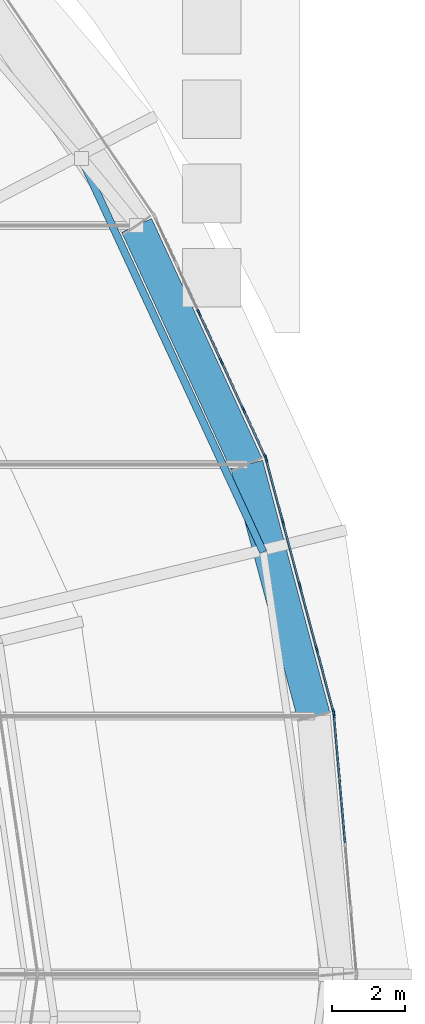
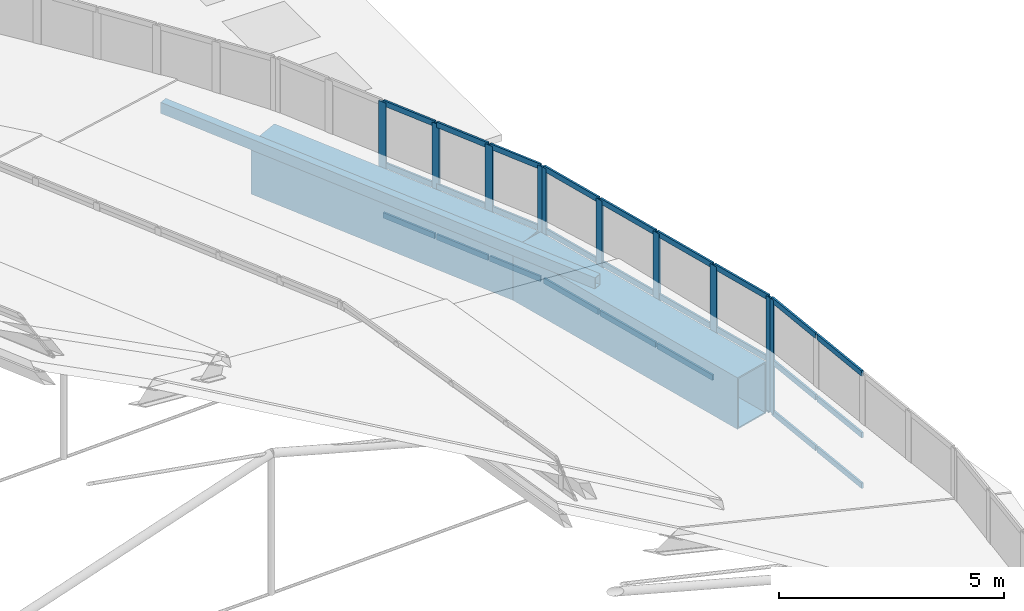
# One storey, part 100 of 173: 38 members, 2 beams, 3 elements without a shape of their own.
"""IFC4 building model written with IfcOpenShell, lengths in metres."""

from ifc_helpers import new_model, si_unit, direction, frame, origin, origin_2d, place, context, subcontext, project, spatial, rectangle, hollow_rectangle, extrude, material, material_profile, profile_set, type_object, element, aggregate, save


model = new_model("IFC4")

# Units and contexts
model_context = context("Model", 3, precision=1e-05, world=origin(), true_north=direction((0.0, 1.0)))
body_context = subcontext(model_context, "Body", "Model", "MODEL_VIEW")
ifc_project = project(units=[si_unit("LENGTHUNIT", "METRE"), si_unit("AREAUNIT", "SQUARE_METRE"), si_unit("VOLUMEUNIT", "CUBIC_METRE"), si_unit("PLANEANGLEUNIT", "RADIAN"), si_unit("MASSUNIT", "GRAM", prefix="KILO")], contexts=[model_context])

# Site, building, storey
site_placement = place(None, origin())
site = spatial("IfcSite", under=ifc_project, at=site_placement, CompositionType="ELEMENT")
building_placement = place(site_placement, origin())
building = spatial("IfcBuilding", under=site, at=building_placement, Name="Glasvene Arena", CompositionType="ELEMENT")
storey_placement = place(building_placement, frame((0.0, 0.0, 28.800048828125)))
storey = spatial("IfcBuildingStorey", under=building, at=storey_placement, Name="RF", CompositionType="ELEMENT", Elevation=28.800048828125)

# Beams
ifc_material_1 = material(Name="Steel S355J2", Category="steel")
ifc_material_profile_1 = material_profile(ifc_material_1, hollow_rectangle(XDim=0.89990234375, YDim=1.39990234375, WallThickness=0.034912109375, at=origin_2d()), Name="WBOX 900x1400x35")
ifc_profile_set_1 = profile_set([ifc_material_profile_1], Name="Steel S355J2")
beam_type = type_object("IfcBeamType", Name="BM-RING-BOX1400", PredefinedType="USERDEFINED", material=ifc_profile_set_1)
beam_1_placement = place(storey_placement, frame((141.384521484375, 80.03955078125, -0.699951171875), z_axis=(-0.257767425424, 0.966206993553, 0.0), x_axis=(-0.966206993553, -0.257767425424, 0.0)))
element("IfcBeam", 1, at=beam_1_placement, inside=storey, type_object=beam_type, Name="Compression ring beam chord RB-02", ObjectType="RING BEAM", PredefinedType="USERDEFINED", context=body_context, shape_type="SweptSolid", body=[
    extrude(hollow_rectangle(XDim=0.89990234375, YDim=1.39990234375, WallThickness=0.034912109375, at=origin_2d()), origin(), (0.0, 0.0, 1.0), 7.1064453125),
])
beam_2_placement = place(storey_placement, frame((139.552734375, 86.90576171875, -0.699951171875), z_axis=(-0.418070582056, 0.908414546569, 0.0), x_axis=(-0.908414546569, -0.418070582056, 0.0)))
element("IfcBeam", 2, at=beam_2_placement, inside=storey, type_object=beam_type, Name="Compression ring beam chord RB-03", ObjectType="RING BEAM", PredefinedType="USERDEFINED", context=body_context, shape_type="SweptSolid", body=[
    extrude(hollow_rectangle(XDim=0.89990234375, YDim=1.39990234375, WallThickness=0.034912109375, at=origin_2d()), origin(), (0.0, 0.0, 1.0), 7.181640625),
])

# Curtain wall, member
ifc_material_2 = material(Name="Low-emissivity laminated double glazing", Category="glass")
curtain_wall_type_1 = type_object("IfcCurtainWallType", Name="CW-DRUM-715x310", PredefinedType="USERDEFINED", material=ifc_material_2)
curtain_wall_1_placement = place(storey_placement, frame((142.550048828125, 73.0, 0.0)))
curtain_wall_1 = element("IfcCurtainWall", 3, at=curtain_wall_1_placement, inside=storey, type_object=curtain_wall_type_1, Name="Crown compression-ring fascia curtain wall 01", ObjectType="CURTAIN WALL", PredefinedType="USERDEFINED")
ifc_material_3 = material(Name="Anodised architectural aluminium", Category="aluminium")
ifc_material_profile_2 = material_profile(ifc_material_3, rectangle(XDim=0.050048828125, YDim=0.199951171875, at=origin_2d()), Name="ALU MULLION 50x200")
ifc_profile_set_2 = profile_set([ifc_material_profile_2], Name="Anodised architectural aluminium")
member_type_1 = type_object("IfcMemberType", Name="CW-MUL-180", PredefinedType="MULLION", material=ifc_profile_set_2)
member_1_placement = place(storey_placement, frame((141.9296875, 80.1005859375, -1.380126953125), z_axis=(0.0, 0.0, 1.0), x_axis=(-0.996206938771, -0.0870157178, 0.0)))
member_1 = element("IfcMember", 4, at=member_1_placement, type_object=member_type_1, Name="CW-071 mullion 5", PredefinedType="MULLION", context=body_context, shape_type="SweptSolid", body=[
    extrude(rectangle(XDim=0.050048828125, YDim=0.199951171875, at=origin_2d()), origin(), (0.0, 0.0, 1.0), 3.10009765625),
])

# Curtain wall, members
curtain_wall_type_2 = type_object("IfcCurtainWallType", Name="CW-DRUM-719x310", PredefinedType="USERDEFINED", material=ifc_material_2)
curtain_wall_2_placement = place(storey_placement, frame((141.927490234375, 80.12548828125, 0.0)))
curtain_wall_2 = element("IfcCurtainWall", 5, at=curtain_wall_2_placement, inside=storey, type_object=curtain_wall_type_2, Name="Crown compression-ring fascia curtain wall 02", ObjectType="CURTAIN WALL", PredefinedType="USERDEFINED")
member_2_placement = place(storey_placement, frame((141.921142578125, 80.149658203125, -1.380126953125), z_axis=(0.0, 0.0, 1.0), x_axis=(-0.966292374807, -0.257447172039, 0.0)))
member_2 = element("IfcMember", 6, at=member_2_placement, type_object=member_type_1, Name="CW-072 mullion 1", PredefinedType="MULLION", context=body_context, shape_type="SweptSolid", body=[
    extrude(rectangle(XDim=0.050048828125, YDim=0.199951171875, at=origin_2d()), origin(), (0.0, 0.0, 1.0), 3.10009765625),
])
member_3_placement = place(storey_placement, frame((141.464599609375, 81.863037109375, -1.380126953125), z_axis=(0.0, 0.0, 1.0), x_axis=(-0.966292374807, -0.257447172039, 0.0)))
member_3 = element("IfcMember", 7, at=member_3_placement, type_object=member_type_1, Name="CW-072 mullion 2", PredefinedType="MULLION", context=body_context, shape_type="SweptSolid", body=[
    extrude(rectangle(XDim=0.050048828125, YDim=0.199951171875, at=origin_2d()), origin(), (0.0, 0.0, 1.0), 3.10009765625),
])
member_4_placement = place(storey_placement, frame((141.001708984375, 83.6005859375, -1.380126953125), z_axis=(0.0, 0.0, 1.0), x_axis=(-0.966292374807, -0.257447172039, 0.0)))
member_4 = element("IfcMember", 8, at=member_4_placement, type_object=member_type_1, Name="CW-072 mullion 3", PredefinedType="MULLION", context=body_context, shape_type="SweptSolid", body=[
    extrude(rectangle(XDim=0.050048828125, YDim=0.199951171875, at=origin_2d()), origin(), (0.0, 0.0, 1.0), 3.10009765625),
])
member_5_placement = place(storey_placement, frame((140.538818359375, 85.338134765625, -1.380126953125), z_axis=(0.0, 0.0, 1.0), x_axis=(-0.966292374807, -0.257447172039, 0.0)))
member_5 = element("IfcMember", 9, at=member_5_placement, type_object=member_type_1, Name="CW-072 mullion 4", PredefinedType="MULLION", context=body_context, shape_type="SweptSolid", body=[
    extrude(rectangle(XDim=0.050048828125, YDim=0.199951171875, at=origin_2d()), origin(), (0.0, 0.0, 1.0), 3.10009765625),
])
member_6_placement = place(storey_placement, frame((140.082275390625, 87.051513671875, -1.380126953125), z_axis=(0.0, 0.0, 1.0), x_axis=(-0.966292374807, -0.257447172039, 0.0)))
member_6 = element("IfcMember", 10, at=member_6_placement, type_object=member_type_1, Name="CW-072 mullion 5", PredefinedType="MULLION", context=body_context, shape_type="SweptSolid", body=[
    extrude(rectangle(XDim=0.050048828125, YDim=0.199951171875, at=origin_2d()), origin(), (0.0, 0.0, 1.0), 3.10009765625),
])

curtain_wall_type_3 = type_object("IfcCurtainWallType", Name="CW-DRUM-727x310", PredefinedType="USERDEFINED", material=ifc_material_2)
curtain_wall_3_placement = place(storey_placement, frame((140.075927734375, 87.07568359375, 0.0)))
curtain_wall_3 = element("IfcCurtainWall", 11, at=curtain_wall_3_placement, inside=storey, type_object=curtain_wall_type_3, Name="Crown compression-ring fascia curtain wall 03", ObjectType="CURTAIN WALL", PredefinedType="USERDEFINED")
member_7_placement = place(storey_placement, frame((140.0654296875, 87.098388671875, -1.380126953125), z_axis=(0.0, 0.0, 1.0), x_axis=(-0.908603046232, -0.417660752738, 0.0)))
member_7 = element("IfcMember", 12, at=member_7_placement, type_object=member_type_1, Name="CW-073 mullion 1", PredefinedType="MULLION", context=body_context, shape_type="SweptSolid", body=[
    extrude(rectangle(XDim=0.050048828125, YDim=0.199951171875, at=origin_2d()), origin(), (0.0, 0.0, 1.0), 3.10009765625),
])
member_8_placement = place(storey_placement, frame((139.46875, 88.396484375, -1.380126953125), z_axis=(0.0, 0.0, 1.0), x_axis=(-0.908603046232, -0.417660752738, 0.0)))
member_8 = element("IfcMember", 13, at=member_8_placement, type_object=member_type_1, Name="CW-073 mullion 2", PredefinedType="MULLION", context=body_context, shape_type="SweptSolid", body=[
    extrude(rectangle(XDim=0.050048828125, YDim=0.199951171875, at=origin_2d()), origin(), (0.0, 0.0, 1.0), 3.10009765625),
])
member_9_placement = place(storey_placement, frame((138.86181640625, 89.717041015625, -1.380126953125), z_axis=(0.0, 0.0, 1.0), x_axis=(-0.908603046232, -0.417660752738, 0.0)))
member_9 = element("IfcMember", 14, at=member_9_placement, type_object=member_type_1, Name="CW-073 mullion 3", PredefinedType="MULLION", context=body_context, shape_type="SweptSolid", body=[
    extrude(rectangle(XDim=0.050048828125, YDim=0.199951171875, at=origin_2d()), origin(), (0.0, 0.0, 1.0), 3.10009765625),
])
member_10_placement = place(storey_placement, frame((138.254638671875, 91.037841796875, -1.380126953125), z_axis=(0.0, 0.0, 1.0), x_axis=(-0.908603046232, -0.417660752738, 0.0)))
member_10 = element("IfcMember", 15, at=member_10_placement, type_object=member_type_1, Name="CW-073 mullion 4", PredefinedType="MULLION", context=body_context, shape_type="SweptSolid", body=[
    extrude(rectangle(XDim=0.050048828125, YDim=0.199951171875, at=origin_2d()), origin(), (0.0, 0.0, 1.0), 3.10009765625),
])

# Member
ifc_material_profile_3 = material_profile(ifc_material_3, rectangle(XDim=0.050048828125, YDim=0.14990234375, at=origin_2d()), Name="ALU TRANSOM 50x150")
ifc_profile_set_3 = profile_set([ifc_material_profile_3], Name="Anodised architectural aluminium")
member_type_2 = type_object("IfcMemberType", Name="CW-TRN-150", PredefinedType="USERDEFINED", material=ifc_profile_set_3)
member_11_placement = place(storey_placement, frame((142.236572265625, 76.587646484375, -1.35498046875), z_axis=(-0.086938708161, 0.996213662335, 0.0), x_axis=(-0.996213662335, -0.086938708161, 0.0)))
member_11 = element("IfcMember", 16, at=member_11_placement, type_object=member_type_2, Name="CW-071 transom 3.1", ObjectType="TRANSOM", PredefinedType="USERDEFINED", context=body_context, shape_type="SweptSolid", body=[
    extrude(rectangle(XDim=0.050048828125, YDim=0.14990234375, at=origin_2d()), origin(), (0.0, 0.0, 1.0), 1.73828125),
])

member_12_placement = place(storey_placement, frame((142.236572265625, 76.587646484375, 0.02001953125), z_axis=(-0.086938708161, 0.996213662335, 0.0), x_axis=(-0.996213662335, -0.086938708161, 0.0)))
member_12 = element("IfcMember", 17, at=member_12_placement, type_object=member_type_2, Name="CW-071 transom 3.2", ObjectType="TRANSOM", PredefinedType="USERDEFINED", context=body_context, shape_type="SweptSolid", body=[
    extrude(rectangle(XDim=0.050048828125, YDim=0.14990234375, at=origin_2d()), origin(), (0.0, 0.0, 1.0), 1.73828125),
])

member_13_placement = place(storey_placement, frame((142.236572265625, 76.587646484375, 1.695068359375), z_axis=(-0.086938708161, 0.996213662335, 0.0), x_axis=(-0.996213662335, -0.086938708161, 0.0)))
member_13 = element("IfcMember", 18, at=member_13_placement, type_object=member_type_2, Name="CW-071 transom 3.3", ObjectType="TRANSOM", PredefinedType="USERDEFINED", context=body_context, shape_type="SweptSolid", body=[
    extrude(rectangle(XDim=0.050048828125, YDim=0.14990234375, at=origin_2d()), origin(), (0.0, 0.0, 1.0), 1.73828125),
])

member_14_placement = place(storey_placement, frame((142.0810546875, 78.369140625, -1.35498046875), z_axis=(-0.087078552921, 0.996201448313, 0.0), x_axis=(-0.996201448313, -0.087078552921, 0.0)))
member_14 = element("IfcMember", 19, at=member_14_placement, type_object=member_type_2, Name="CW-071 transom 4.1", ObjectType="TRANSOM", PredefinedType="USERDEFINED", context=body_context, shape_type="SweptSolid", body=[
    extrude(rectangle(XDim=0.050048828125, YDim=0.14990234375, at=origin_2d()), origin(), (0.0, 0.0, 1.0), 1.713134765625),
])

member_15_placement = place(storey_placement, frame((142.0810546875, 78.369140625, 0.02001953125), z_axis=(-0.087078552921, 0.996201448313, 0.0), x_axis=(-0.996201448313, -0.087078552921, 0.0)))
member_15 = element("IfcMember", 20, at=member_15_placement, type_object=member_type_2, Name="CW-071 transom 4.2", ObjectType="TRANSOM", PredefinedType="USERDEFINED", context=body_context, shape_type="SweptSolid", body=[
    extrude(rectangle(XDim=0.050048828125, YDim=0.14990234375, at=origin_2d()), origin(), (0.0, 0.0, 1.0), 1.713134765625),
])

member_16_placement = place(storey_placement, frame((142.0810546875, 78.369140625, 1.695068359375), z_axis=(-0.087078552921, 0.996201448313, 0.0), x_axis=(-0.996201448313, -0.087078552921, 0.0)))
member_16 = element("IfcMember", 21, at=member_16_placement, type_object=member_type_2, Name="CW-071 transom 4.3", ObjectType="TRANSOM", PredefinedType="USERDEFINED", context=body_context, shape_type="SweptSolid", body=[
    extrude(rectangle(XDim=0.050048828125, YDim=0.14990234375, at=origin_2d()), origin(), (0.0, 0.0, 1.0), 1.713134765625),
])

aggregate(curtain_wall_1, [member_1, member_11, member_12, member_13, member_14, member_15, member_16])

member_17_placement = place(storey_placement, frame((141.914794921875, 80.173828125, -1.35498046875), z_axis=(-0.257442179184, 0.966293705028, 0.0), x_axis=(-0.966293705028, -0.257442179184, 0.0)))
member_17 = element("IfcMember", 22, at=member_17_placement, type_object=member_type_2, Name="CW-072 transom 1.1", ObjectType="TRANSOM", PredefinedType="USERDEFINED", context=body_context, shape_type="SweptSolid", body=[
    extrude(rectangle(XDim=0.050048828125, YDim=0.14990234375, at=origin_2d()), origin(), (0.0, 0.0, 1.0), 1.72314453125),
])

member_18_placement = place(storey_placement, frame((141.914794921875, 80.173828125, 0.02001953125), z_axis=(-0.257442179184, 0.966293705028, 0.0), x_axis=(-0.966293705028, -0.257442179184, 0.0)))
member_18 = element("IfcMember", 23, at=member_18_placement, type_object=member_type_2, Name="CW-072 transom 1.2", ObjectType="TRANSOM", PredefinedType="USERDEFINED", context=body_context, shape_type="SweptSolid", body=[
    extrude(rectangle(XDim=0.050048828125, YDim=0.14990234375, at=origin_2d()), origin(), (0.0, 0.0, 1.0), 1.72314453125),
])

member_19_placement = place(storey_placement, frame((141.914794921875, 80.173828125, 1.695068359375), z_axis=(-0.257442179184, 0.966293705028, 0.0), x_axis=(-0.966293705028, -0.257442179184, 0.0)))
member_19 = element("IfcMember", 24, at=member_19_placement, type_object=member_type_2, Name="CW-072 transom 1.3", ObjectType="TRANSOM", PredefinedType="USERDEFINED", context=body_context, shape_type="SweptSolid", body=[
    extrude(rectangle(XDim=0.050048828125, YDim=0.14990234375, at=origin_2d()), origin(), (0.0, 0.0, 1.0), 1.72314453125),
])

member_20_placement = place(storey_placement, frame((141.458251953125, 81.88720703125, -1.35498046875), z_axis=(-0.257393172293, 0.966306760225, 0.0), x_axis=(-0.966306760225, -0.257393172293, 0.0)))
member_20 = element("IfcMember", 25, at=member_20_placement, type_object=member_type_2, Name="CW-072 transom 2.1", ObjectType="TRANSOM", PredefinedType="USERDEFINED", context=body_context, shape_type="SweptSolid", body=[
    extrude(rectangle(XDim=0.050048828125, YDim=0.14990234375, at=origin_2d()), origin(), (0.0, 0.0, 1.0), 1.748046875),
])

member_21_placement = place(storey_placement, frame((141.458251953125, 81.88720703125, 0.02001953125), z_axis=(-0.257393172293, 0.966306760225, 0.0), x_axis=(-0.966306760225, -0.257393172293, 0.0)))
member_21 = element("IfcMember", 26, at=member_21_placement, type_object=member_type_2, Name="CW-072 transom 2.2", ObjectType="TRANSOM", PredefinedType="USERDEFINED", context=body_context, shape_type="SweptSolid", body=[
    extrude(rectangle(XDim=0.050048828125, YDim=0.14990234375, at=origin_2d()), origin(), (0.0, 0.0, 1.0), 1.748046875),
])

member_22_placement = place(storey_placement, frame((141.458251953125, 81.88720703125, 1.695068359375), z_axis=(-0.257393172293, 0.966306760225, 0.0), x_axis=(-0.966306760225, -0.257393172293, 0.0)))
member_22 = element("IfcMember", 27, at=member_22_placement, type_object=member_type_2, Name="CW-072 transom 2.3", ObjectType="TRANSOM", PredefinedType="USERDEFINED", context=body_context, shape_type="SweptSolid", body=[
    extrude(rectangle(XDim=0.050048828125, YDim=0.14990234375, at=origin_2d()), origin(), (0.0, 0.0, 1.0), 1.748046875),
])

member_23_placement = place(storey_placement, frame((140.995361328125, 83.624755859375, -1.35498046875), z_axis=(-0.257523572506, 0.966272016362, 0.0), x_axis=(-0.966272016362, -0.257523572506, 0.0)))
member_23 = element("IfcMember", 28, at=member_23_placement, type_object=member_type_2, Name="CW-072 transom 3.1", ObjectType="TRANSOM", PredefinedType="USERDEFINED", context=body_context, shape_type="SweptSolid", body=[
    extrude(rectangle(XDim=0.050048828125, YDim=0.14990234375, at=origin_2d()), origin(), (0.0, 0.0, 1.0), 1.748291015625),
])

member_24_placement = place(storey_placement, frame((140.995361328125, 83.624755859375, 0.02001953125), z_axis=(-0.257523572506, 0.966272016362, 0.0), x_axis=(-0.966272016362, -0.257523572506, 0.0)))
member_24 = element("IfcMember", 29, at=member_24_placement, type_object=member_type_2, Name="CW-072 transom 3.2", ObjectType="TRANSOM", PredefinedType="USERDEFINED", context=body_context, shape_type="SweptSolid", body=[
    extrude(rectangle(XDim=0.050048828125, YDim=0.14990234375, at=origin_2d()), origin(), (0.0, 0.0, 1.0), 1.748291015625),
])

member_25_placement = place(storey_placement, frame((140.995361328125, 83.624755859375, 1.695068359375), z_axis=(-0.257523572506, 0.966272016362, 0.0), x_axis=(-0.966272016362, -0.257523572506, 0.0)))
member_25 = element("IfcMember", 30, at=member_25_placement, type_object=member_type_2, Name="CW-072 transom 3.3", ObjectType="TRANSOM", PredefinedType="USERDEFINED", context=body_context, shape_type="SweptSolid", body=[
    extrude(rectangle(XDim=0.050048828125, YDim=0.14990234375, at=origin_2d()), origin(), (0.0, 0.0, 1.0), 1.748291015625),
])

member_26_placement = place(storey_placement, frame((140.532470703125, 85.3623046875, -1.35498046875), z_axis=(-0.257442179184, 0.966293705028, 0.0), x_axis=(-0.966293705028, -0.257442179184, 0.0)))
member_26 = element("IfcMember", 31, at=member_26_placement, type_object=member_type_2, Name="CW-072 transom 4.1", ObjectType="TRANSOM", PredefinedType="USERDEFINED", context=body_context, shape_type="SweptSolid", body=[
    extrude(rectangle(XDim=0.050048828125, YDim=0.14990234375, at=origin_2d()), origin(), (0.0, 0.0, 1.0), 1.72314453125),
])

member_27_placement = place(storey_placement, frame((140.532470703125, 85.3623046875, 0.02001953125), z_axis=(-0.257442179184, 0.966293705028, 0.0), x_axis=(-0.966293705028, -0.257442179184, 0.0)))
member_27 = element("IfcMember", 32, at=member_27_placement, type_object=member_type_2, Name="CW-072 transom 4.2", ObjectType="TRANSOM", PredefinedType="USERDEFINED", context=body_context, shape_type="SweptSolid", body=[
    extrude(rectangle(XDim=0.050048828125, YDim=0.14990234375, at=origin_2d()), origin(), (0.0, 0.0, 1.0), 1.72314453125),
])

member_28_placement = place(storey_placement, frame((140.532470703125, 85.3623046875, 1.695068359375), z_axis=(-0.257442179184, 0.966293705028, 0.0), x_axis=(-0.966293705028, -0.257442179184, 0.0)))
member_28 = element("IfcMember", 33, at=member_28_placement, type_object=member_type_2, Name="CW-072 transom 4.3", ObjectType="TRANSOM", PredefinedType="USERDEFINED", context=body_context, shape_type="SweptSolid", body=[
    extrude(rectangle(XDim=0.050048828125, YDim=0.14990234375, at=origin_2d()), origin(), (0.0, 0.0, 1.0), 1.72314453125),
])

aggregate(curtain_wall_2, [member_2, member_3, member_4, member_5, member_6, member_17, member_18, member_19, member_20, member_21, member_22, member_23, member_24, member_25, member_26, member_27, member_28])

member_29_placement = place(storey_placement, frame((140.054931640625, 87.12109375, -1.35498046875), z_axis=(-0.417575256607, 0.908642341667, 0.0), x_axis=(-0.908642341667, -0.417575256607, 0.0)))
member_29 = element("IfcMember", 34, at=member_29_placement, type_object=member_type_2, Name="CW-073 transom 1.1", ObjectType="TRANSOM", PredefinedType="USERDEFINED", context=body_context, shape_type="SweptSolid", body=[
    extrude(rectangle(XDim=0.050048828125, YDim=0.14990234375, at=origin_2d()), origin(), (0.0, 0.0, 1.0), 1.378662109375),
])

member_30_placement = place(storey_placement, frame((140.054931640625, 87.12109375, 0.02001953125), z_axis=(-0.417575256607, 0.908642341667, 0.0), x_axis=(-0.908642341667, -0.417575256607, 0.0)))
member_30 = element("IfcMember", 35, at=member_30_placement, type_object=member_type_2, Name="CW-073 transom 1.2", ObjectType="TRANSOM", PredefinedType="USERDEFINED", context=body_context, shape_type="SweptSolid", body=[
    extrude(rectangle(XDim=0.050048828125, YDim=0.14990234375, at=origin_2d()), origin(), (0.0, 0.0, 1.0), 1.378662109375),
])

member_31_placement = place(storey_placement, frame((140.054931640625, 87.12109375, 1.695068359375), z_axis=(-0.417575256607, 0.908642341667, 0.0), x_axis=(-0.908642341667, -0.417575256607, 0.0)))
member_31 = element("IfcMember", 36, at=member_31_placement, type_object=member_type_2, Name="CW-073 transom 1.3", ObjectType="TRANSOM", PredefinedType="USERDEFINED", context=body_context, shape_type="SweptSolid", body=[
    extrude(rectangle(XDim=0.050048828125, YDim=0.14990234375, at=origin_2d()), origin(), (0.0, 0.0, 1.0), 1.378662109375),
])

member_32_placement = place(storey_placement, frame((139.458251953125, 88.419189453125, -1.35498046875), z_axis=(-0.417678740372, 0.908594777578, 0.0), x_axis=(-0.908594777578, -0.417678740372, 0.0)))
member_32 = element("IfcMember", 37, at=member_32_placement, type_object=member_type_2, Name="CW-073 transom 2.1", ObjectType="TRANSOM", PredefinedType="USERDEFINED", context=body_context, shape_type="SweptSolid", body=[
    extrude(rectangle(XDim=0.050048828125, YDim=0.14990234375, at=origin_2d()), origin(), (0.0, 0.0, 1.0), 1.4033203125),
])

member_33_placement = place(storey_placement, frame((139.458251953125, 88.419189453125, 0.02001953125), z_axis=(-0.417678740372, 0.908594777578, 0.0), x_axis=(-0.908594777578, -0.417678740372, 0.0)))
member_33 = element("IfcMember", 38, at=member_33_placement, type_object=member_type_2, Name="CW-073 transom 2.2", ObjectType="TRANSOM", PredefinedType="USERDEFINED", context=body_context, shape_type="SweptSolid", body=[
    extrude(rectangle(XDim=0.050048828125, YDim=0.14990234375, at=origin_2d()), origin(), (0.0, 0.0, 1.0), 1.4033203125),
])

member_34_placement = place(storey_placement, frame((139.458251953125, 88.419189453125, 1.695068359375), z_axis=(-0.417678740372, 0.908594777578, 0.0), x_axis=(-0.908594777578, -0.417678740372, 0.0)))
member_34 = element("IfcMember", 39, at=member_34_placement, type_object=member_type_2, Name="CW-073 transom 2.3", ObjectType="TRANSOM", PredefinedType="USERDEFINED", context=body_context, shape_type="SweptSolid", body=[
    extrude(rectangle(XDim=0.050048828125, YDim=0.14990234375, at=origin_2d()), origin(), (0.0, 0.0, 1.0), 1.4033203125),
])

member_35_placement = place(storey_placement, frame((138.851318359375, 89.73974609375, -1.35498046875), z_axis=(-0.417612731634, 0.908625118724, 0.0), x_axis=(-0.908625118724, -0.417612731634, 0.0)))
member_35 = element("IfcMember", 40, at=member_35_placement, type_object=member_type_2, Name="CW-073 transom 3.1", ObjectType="TRANSOM", PredefinedType="USERDEFINED", context=body_context, shape_type="SweptSolid", body=[
    extrude(rectangle(XDim=0.050048828125, YDim=0.14990234375, at=origin_2d()), origin(), (0.0, 0.0, 1.0), 1.403564453125),
])

member_36_placement = place(storey_placement, frame((138.851318359375, 89.73974609375, 0.02001953125), z_axis=(-0.417612731634, 0.908625118724, 0.0), x_axis=(-0.908625118724, -0.417612731634, 0.0)))
member_36 = element("IfcMember", 41, at=member_36_placement, type_object=member_type_2, Name="CW-073 transom 3.2", ObjectType="TRANSOM", PredefinedType="USERDEFINED", context=body_context, shape_type="SweptSolid", body=[
    extrude(rectangle(XDim=0.050048828125, YDim=0.14990234375, at=origin_2d()), origin(), (0.0, 0.0, 1.0), 1.403564453125),
])

member_37_placement = place(storey_placement, frame((138.851318359375, 89.73974609375, 1.695068359375), z_axis=(-0.417612731634, 0.908625118724, 0.0), x_axis=(-0.908625118724, -0.417612731634, 0.0)))
member_37 = element("IfcMember", 42, at=member_37_placement, type_object=member_type_2, Name="CW-073 transom 3.3", ObjectType="TRANSOM", PredefinedType="USERDEFINED", context=body_context, shape_type="SweptSolid", body=[
    extrude(rectangle(XDim=0.050048828125, YDim=0.14990234375, at=origin_2d()), origin(), (0.0, 0.0, 1.0), 1.403564453125),
])

aggregate(curtain_wall_3, [member_7, member_8, member_9, member_10, member_29, member_30, member_31, member_32, member_33, member_34, member_35, member_36, member_37])

ifc_material_profile_4 = material_profile(ifc_material_1, hollow_rectangle(XDim=0.199951171875, YDim=0.300048828125, WallThickness=0.012451171875, at=origin_2d()), Name="RHS 300x200x12.5")
ifc_profile_set_4 = profile_set([ifc_material_profile_4], Name="Steel S355J2")
member_type_3 = type_object("IfcMemberType", Name="MB-PURLIN-RHS300", PredefinedType="PURLIN", material=ifc_profile_set_4)
member_38_placement = place(storey_placement, frame((140.006591796875, 84.517333984375, 0.16748046875), z_axis=(-0.419863178839, 0.907587412349, 0.0), x_axis=(-0.907587412349, -0.419863178839, 0.0)))
element("IfcMember", 43, at=member_38_placement, inside=storey, type_object=member_type_3, Name="Petal ring 1 outer purlin 02", PredefinedType="PURLIN", context=body_context, shape_type="SweptSolid", body=[
    extrude(hollow_rectangle(XDim=0.199951171875, YDim=0.300048828125, WallThickness=0.012451171875, at=origin_2d()), origin(), (0.0, 0.0, 1.0), 11.825439453125),
])

save(model, "model.ifc")
